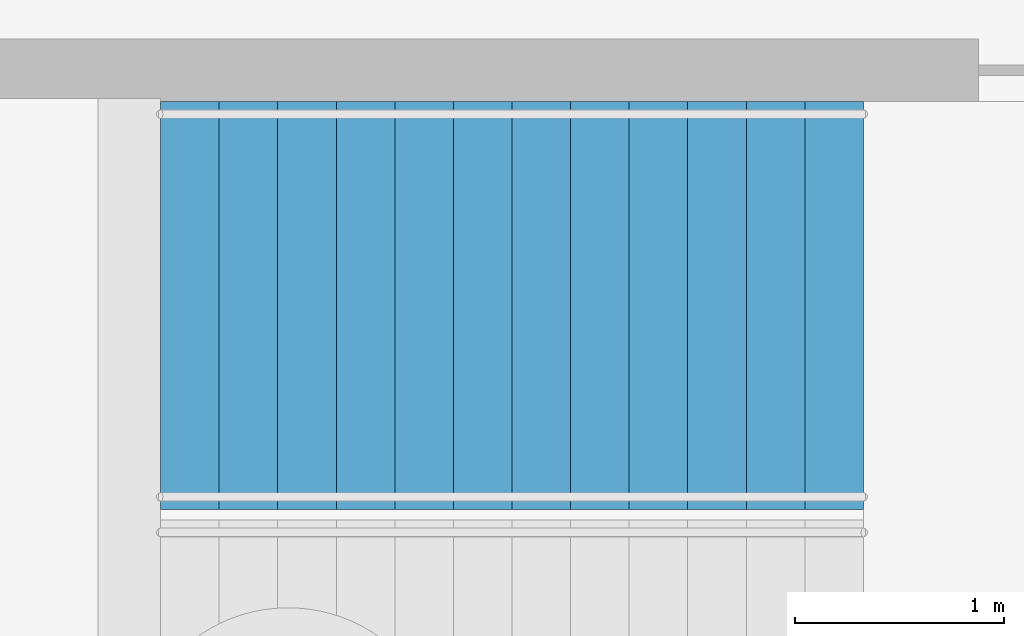
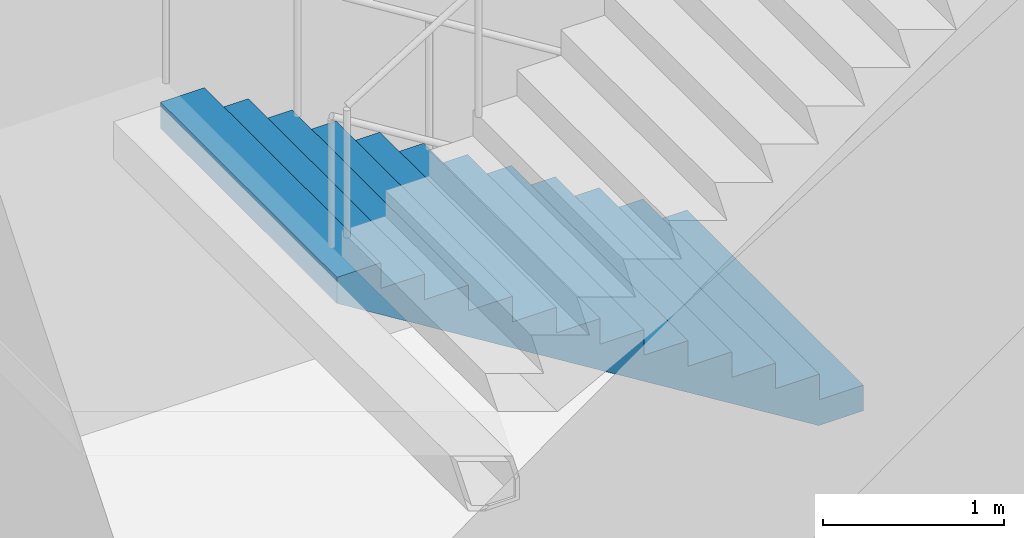
# One storey, part 12 of 28: 1 stair flight, 1 element without a shape of its own.
"""IFC4 building model written with IfcOpenShell, lengths in metres."""

from ifc_helpers import new_model, si_unit, direction, frame, origin, place, context, subcontext, project, spatial, triangles, material, type_object, element, aggregate, save


model = new_model("IFC4")

# Units and contexts
model_context = context("Model", 3, precision=1e-05, world=origin(), true_north=direction((0.0, 1.0)))
body_context = subcontext(model_context, "Body", "Model", "MODEL_VIEW")
ifc_project = project(units=[si_unit("LENGTHUNIT", "METRE"), si_unit("AREAUNIT", "SQUARE_METRE"), si_unit("VOLUMEUNIT", "CUBIC_METRE"), si_unit("PLANEANGLEUNIT", "RADIAN"), si_unit("MASSUNIT", "GRAM", prefix="KILO")], contexts=[model_context])

# Site, building, storey
site_placement = place(None, origin())
site = spatial("IfcSite", under=ifc_project, at=site_placement, CompositionType="ELEMENT")
building_placement = place(site_placement, origin())
building = spatial("IfcBuilding", under=site, at=building_placement, Name="Orbita Commons", CompositionType="ELEMENT")
storey_placement = place(building_placement, frame((0.0, 0.0, -9.0)))
storey = spatial("IfcBuildingStorey", under=building, at=storey_placement, Name="L-02", CompositionType="ELEMENT", Elevation=-9.0)

# Stair, stair flight
ifc_material_1 = material(Name="Precast concrete C40/50", Category="concrete")
stair_type = type_object("IfcStairType", Name="Exit stair S2 2 flights 13 risers 173", PredefinedType="HALF_TURN_STAIR", material=ifc_material_1)
stair_placement = place(storey_placement, origin())
stair = element("IfcStair", 1, at=stair_placement, inside=storey, type_object=stair_type, Name="Exit stair S2 L-02", PredefinedType="HALF_TURN_STAIR")
ifc_material_2 = material(Name="Precast concrete C40/50", Category="concrete")
stair_flight_type = type_object("IfcStairFlightType", Name="Stair flight 13 risers 173 x 280", PredefinedType="STRAIGHT", material=ifc_material_2)
stair_flight_placement = place(storey_placement, frame((63.550048828125, 29.27490234375, 0.0), z_axis=(0.0, 0.0, 1.0), x_axis=(-1.0, 0.0, 0.0)))
stair_flight = element("IfcStairFlight", 2, at=stair_flight_placement, type_object=stair_flight_type, Name="S2 flight 1", NumberOfRisers=13, NumberOfTreads=12, PredefinedType="STRAIGHT", RiserHeight=0.173076923, TreadLength=0.28, context=body_context, shape_type="Tessellation", body=[
    triangles([(0.0, 0.974976, 0.0), (0.0, 0.974976, 0.021635), (0.0, 0.81248, 0.021635), (0.0, 0.81248, 0.0), (0.0, 0.649984, 0.021635), (0.0, 0.649984, 0.0), (0.0, 0.487488, 0.021635), (0.0, 0.487488, 0.0), (0.0, 0.324992, 0.021635), (0.0, 0.324992, 0.0), (0.0, 0.162496, 0.021635), (0.0, 0.162496, 0.0), (0.0, 0.0, 0.021635), (0.0, 0.0, 0.0), (0.0, -0.162496, 0.021635), (0.0, -0.162496, 0.0), (0.0, -0.324992, 0.021635), (0.0, -0.324992, 0.0), (0.0, -0.487488, 0.021635), (0.0, -0.487488, 0.0), (0.0, -0.649984, 0.021635), (0.0, -0.649984, 0.0), (0.0, -0.81248, 0.021635), (0.0, -0.81248, 0.0), (0.0, -0.974976, 0.021635), (0.0, -0.974976, 0.0), (0.0, 0.974976, 0.043269), (0.0, 0.81248, 0.043269), (0.0, 0.649984, 0.043269), (0.0, 0.487488, 0.043269), (0.0, 0.324992, 0.043269), (0.0, 0.162496, 0.043269), (0.0, 0.0, 0.043269), (0.0, -0.162496, 0.043269), (0.0, -0.324992, 0.043269), (0.0, -0.487488, 0.043269), (0.0, -0.649984, 0.043269), (0.0, -0.81248, 0.043269), (0.0, -0.974976, 0.043269), (0.0, 0.974976, 0.064904), (0.0, 0.81248, 0.064904), (0.0, 0.649984, 0.064904), (0.0, 0.487488, 0.064904), (0.0, 0.324992, 0.064904), (0.0, 0.162496, 0.064904), (0.0, 0.0, 0.064904), (0.0, -0.162496, 0.064904), (0.0, -0.324992, 0.064904), (0.0, -0.487488, 0.064904), (0.0, -0.649984, 0.064904), (0.0, -0.81248, 0.064904), (0.0, -0.974976, 0.064904), (0.0, 0.974976, 0.086538), (0.0, 0.81248, 0.086538), (0.0, 0.649984, 0.086538), (0.0, 0.487488, 0.086538), (0.0, 0.324992, 0.086538), (0.0, 0.162496, 0.086538), (0.0, 0.0, 0.086538), (0.0, -0.162496, 0.086538), (0.0, -0.324992, 0.086538), (0.0, -0.487488, 0.086538), (0.0, -0.649984, 0.086538), (0.0, -0.81248, 0.086538), (0.0, -0.974976, 0.086538), (0.0, 0.974976, 0.108173), (0.0, 0.81248, 0.108173), (0.0, 0.649984, 0.108173), (0.0, 0.487488, 0.108173), (0.0, 0.324992, 0.108173), (0.0, 0.162496, 0.108173), (0.0, 0.0, 0.108173), (0.0, -0.162496, 0.108173), (0.0, -0.324992, 0.108173), (0.0, -0.487488, 0.108173), (0.0, -0.649984, 0.108173), (0.0, -0.81248, 0.108173), (0.0, -0.974976, 0.108173), (0.0, 0.974976, 0.129808), (0.0, 0.81248, 0.129808), (0.0, 0.649984, 0.129808), (0.0, 0.487488, 0.129808), (0.0, 0.324992, 0.129808), (0.0, 0.162496, 0.129808), (0.0, 0.0, 0.129808), (0.0, -0.162496, 0.129808), (0.0, -0.324992, 0.129808), (0.0, -0.487488, 0.129808), (0.0, -0.649984, 0.129808), (0.0, -0.81248, 0.129808), (0.0, -0.974976, 0.129808), (0.0, 0.974976, 0.151442), (0.0, 0.81248, 0.151442), (0.0, 0.649984, 0.151442), (0.0, 0.487488, 0.151442), (0.0, 0.324992, 0.151442), (0.0, 0.162496, 0.151442), (0.0, 0.0, 0.151442), (0.0, -0.162496, 0.151442), (0.0, -0.324992, 0.151442), (0.0, -0.487488, 0.151442), (0.0, -0.649984, 0.151442), (0.0, -0.81248, 0.151442), (0.0, -0.974976, 0.151442), (0.0, 0.974976, 0.173077), (0.0, 0.81248, 0.173077), (0.0, 0.649984, 0.173077), (0.0, 0.487488, 0.173077), (0.0, 0.324992, 0.173077), (0.0, 0.162496, 0.173077), (0.0, 0.0, 0.173077), (0.0, -0.162496, 0.173077), (0.0, -0.324992, 0.173077), (0.0, -0.487488, 0.173077), (0.0, -0.649984, 0.173077), (0.0, -0.81248, 0.173077), (0.0, -0.974976, 0.173077), (0.28, 0.974976, 0.173077), (0.28, 0.81248, 0.173077), (0.28, 0.649984, 0.173077), (0.28, 0.487488, 0.173077), (0.28, 0.324992, 0.173077), (0.28, 0.162496, 0.173077), (0.28, 0.0, 0.173077), (0.28, -0.162496, 0.173077), (0.28, -0.324992, 0.173077), (0.28, -0.487488, 0.173077), (0.28, -0.649984, 0.173077), (0.28, -0.81248, 0.173077), (0.28, -0.974976, 0.173077), (0.28, 0.974976, 0.346154), (0.28, 0.81248, 0.346154), (0.28, 0.649984, 0.346154), (0.28, 0.487488, 0.346154), (0.28, 0.324992, 0.346154), (0.28, 0.162496, 0.346154), (0.28, 0.0, 0.346154), (0.28, -0.162496, 0.346154), (0.28, -0.324992, 0.346154), (0.28, -0.487488, 0.346154), (0.28, -0.649984, 0.346154), (0.28, -0.81248, 0.346154), (0.28, -0.974976, 0.346154), (0.56, 0.974976, 0.346154), (0.56, 0.81248, 0.346154), (0.56, 0.649984, 0.346154), (0.56, 0.487488, 0.346154), (0.56, 0.324992, 0.346154), (0.56, 0.162496, 0.346154), (0.56, 0.0, 0.346154), (0.56, -0.162496, 0.346154), (0.56, -0.324992, 0.346154), (0.56, -0.487488, 0.346154), (0.56, -0.649984, 0.346154), (0.56, -0.81248, 0.346154), (0.56, -0.974976, 0.346154), (0.56, 0.974976, 0.519231), (0.56, 0.81248, 0.519231), (0.56, 0.649984, 0.519231), (0.56, 0.487488, 0.519231), (0.56, 0.324992, 0.519231), (0.56, 0.162496, 0.519231), (0.56, 0.0, 0.519231), (0.56, -0.162496, 0.519231), (0.56, -0.324992, 0.519231), (0.56, -0.487488, 0.519231), (0.56, -0.649984, 0.519231), (0.56, -0.81248, 0.519231), (0.56, -0.974976, 0.519231), (0.84, 0.974976, 0.519231), (0.84, 0.81248, 0.519231), (0.84, 0.649984, 0.519231), (0.84, 0.487488, 0.519231), (0.84, 0.324992, 0.519231), (0.84, 0.162496, 0.519231), (0.84, 0.0, 0.519231), (0.84, -0.162496, 0.519231), (0.84, -0.324992, 0.519231), (0.84, -0.487488, 0.519231), (0.84, -0.649984, 0.519231), (0.84, -0.81248, 0.519231), (0.84, -0.974976, 0.519231), (0.84, 0.974976, 0.692308), (0.84, 0.81248, 0.692308), (0.84, 0.649984, 0.692308), (0.84, 0.487488, 0.692308), (0.84, 0.324992, 0.692308), (0.84, 0.162496, 0.692308), (0.84, 0.0, 0.692308), (0.84, -0.162496, 0.692308), (0.84, -0.324992, 0.692308), (0.84, -0.487488, 0.692308), (0.84, -0.649984, 0.692308), (0.84, -0.81248, 0.692308), (0.84, -0.974976, 0.692308), (1.12, 0.974976, 0.692308), (1.12, 0.81248, 0.692308), (1.12, 0.649984, 0.692308), (1.12, 0.487488, 0.692308), (1.12, 0.324992, 0.692308), (1.12, 0.162496, 0.692308), (1.12, 0.0, 0.692308), (1.12, -0.162496, 0.692308), (1.12, -0.324992, 0.692308), (1.12, -0.487488, 0.692308), (1.12, -0.649984, 0.692308), (1.12, -0.81248, 0.692308), (1.12, -0.974976, 0.692308), (1.12, 0.974976, 0.865385), (1.12, 0.81248, 0.865385), (1.12, 0.649984, 0.865385), (1.12, 0.487488, 0.865385), (1.12, 0.324992, 0.865385), (1.12, 0.162496, 0.865385), (1.12, 0.0, 0.865385), (1.12, -0.162496, 0.865385), (1.12, -0.324992, 0.865385), (1.12, -0.487488, 0.865385), (1.12, -0.649984, 0.865385), (1.12, -0.81248, 0.865385), (1.12, -0.974976, 0.865385), (1.4, 0.974976, 0.865385), (1.4, 0.81248, 0.865385), (1.4, 0.649984, 0.865385), (1.4, 0.487488, 0.865385), (1.4, 0.324992, 0.865385), (1.4, 0.162496, 0.865385), (1.4, 0.0, 0.865385), (1.4, -0.162496, 0.865385), (1.4, -0.324992, 0.865385), (1.4, -0.487488, 0.865385), (1.4, -0.649984, 0.865385), (1.4, -0.81248, 0.865385), (1.4, -0.974976, 0.865385), (1.4, 0.974976, 1.038462), (1.4, 0.81248, 1.038462), (1.4, 0.649984, 1.038462), (1.4, 0.487488, 1.038462), (1.4, 0.324992, 1.038462), (1.4, 0.162496, 1.038462), (1.4, 0.0, 1.038462), (1.4, -0.162496, 1.038462), (1.4, -0.324992, 1.038462), (1.4, -0.487488, 1.038462), (1.4, -0.649984, 1.038462), (1.4, -0.81248, 1.038462), (1.4, -0.974976, 1.038462), (1.68, 0.974976, 1.038462), (1.68, 0.81248, 1.038462), (1.68, 0.649984, 1.038462), (1.68, 0.487488, 1.038462), (1.68, 0.324992, 1.038462), (1.68, 0.162496, 1.038462), (1.68, 0.0, 1.038462), (1.68, -0.162496, 1.038462), (1.68, -0.324992, 1.038462), (1.68, -0.487488, 1.038462), (1.68, -0.649984, 1.038462), (1.68, -0.81248, 1.038462), (1.68, -0.974976, 1.038462), (1.68, 0.974976, 1.211538), (1.68, 0.81248, 1.211538), (1.68, 0.649984, 1.211538), (1.68, 0.487488, 1.211538), (1.68, 0.324992, 1.211538), (1.68, 0.162496, 1.211538), (1.68, 0.0, 1.211538), (1.68, -0.162496, 1.211538), (1.68, -0.324992, 1.211538), (1.68, -0.487488, 1.211538), (1.68, -0.649984, 1.211538), (1.68, -0.81248, 1.211538), (1.68, -0.974976, 1.211538), (1.96, 0.974976, 1.211538), (1.96, 0.81248, 1.211538), (1.96, 0.649984, 1.211538), (1.96, 0.487488, 1.211538), (1.96, 0.324992, 1.211538), (1.96, 0.162496, 1.211538), (1.96, 0.0, 1.211538), (1.96, -0.162496, 1.211538), (1.96, -0.324992, 1.211538), (1.96, -0.487488, 1.211538), (1.96, -0.649984, 1.211538), (1.96, -0.81248, 1.211538), (1.96, -0.974976, 1.211538), (1.96, 0.974976, 1.384615), (1.96, 0.81248, 1.384615), (1.96, 0.649984, 1.384615), (1.96, 0.487488, 1.384615), (1.96, 0.324992, 1.384615), (1.96, 0.162496, 1.384615), (1.96, 0.0, 1.384615), (1.96, -0.162496, 1.384615), (1.96, -0.324992, 1.384615), (1.96, -0.487488, 1.384615), (1.96, -0.649984, 1.384615), (1.96, -0.81248, 1.384615), (1.96, -0.974976, 1.384615), (2.24, 0.974976, 1.384615), (2.24, 0.81248, 1.384615), (2.24, 0.649984, 1.384615), (2.24, 0.487488, 1.384615), (2.24, 0.324992, 1.384615), (2.24, 0.162496, 1.384615), (2.24, 0.0, 1.384615), (2.24, -0.162496, 1.384615), (2.24, -0.324992, 1.384615), (2.24, -0.487488, 1.384615), (2.24, -0.649984, 1.384615), (2.24, -0.81248, 1.384615), (2.24, -0.974976, 1.384615), (2.24, 0.974976, 1.557692), (2.24, 0.81248, 1.557692), (2.24, 0.649984, 1.557692), (2.24, 0.487488, 1.557692), (2.24, 0.324992, 1.557692), (2.24, 0.162496, 1.557692), (2.24, 0.0, 1.557692), (2.24, -0.162496, 1.557692), (2.24, -0.324992, 1.557692), (2.24, -0.487488, 1.557692), (2.24, -0.649984, 1.557692), (2.24, -0.81248, 1.557692), (2.24, -0.974976, 1.557692), (2.52, 0.974976, 1.557692), (2.52, 0.81248, 1.557692), (2.52, 0.649984, 1.557692), (2.52, 0.487488, 1.557692), (2.52, 0.324992, 1.557692), (2.52, 0.162496, 1.557692), (2.52, 0.0, 1.557692), (2.52, -0.162496, 1.557692), (2.52, -0.324992, 1.557692), (2.52, -0.487488, 1.557692), (2.52, -0.649984, 1.557692), (2.52, -0.81248, 1.557692), (2.52, -0.974976, 1.557692), (2.52, 0.974976, 1.730769), (2.52, 0.81248, 1.730769), (2.52, 0.649984, 1.730769), (2.52, 0.487488, 1.730769), (2.52, 0.324992, 1.730769), (2.52, 0.162496, 1.730769), (2.52, 0.0, 1.730769), (2.52, -0.162496, 1.730769), (2.52, -0.324992, 1.730769), (2.52, -0.487488, 1.730769), (2.52, -0.649984, 1.730769), (2.52, -0.81248, 1.730769), (2.52, -0.974976, 1.730769), (2.8, 0.974976, 1.730769), (2.8, 0.81248, 1.730769), (2.8, 0.649984, 1.730769), (2.8, 0.487488, 1.730769), (2.8, 0.324992, 1.730769), (2.8, 0.162496, 1.730769), (2.8, 0.0, 1.730769), (2.8, -0.162496, 1.730769), (2.8, -0.324992, 1.730769), (2.8, -0.487488, 1.730769), (2.8, -0.649984, 1.730769), (2.8, -0.81248, 1.730769), (2.8, -0.974976, 1.730769), (2.8, 0.974976, 1.903846), (2.8, 0.81248, 1.903846), (2.8, 0.649984, 1.903846), (2.8, 0.487488, 1.903846), (2.8, 0.324992, 1.903846), (2.8, 0.162496, 1.903846), (2.8, 0.0, 1.903846), (2.8, -0.162496, 1.903846), (2.8, -0.324992, 1.903846), (2.8, -0.487488, 1.903846), (2.8, -0.649984, 1.903846), (2.8, -0.81248, 1.903846), (2.8, -0.974976, 1.903846), (3.08, 0.974976, 1.903846), (3.08, 0.81248, 1.903846), (3.08, 0.649984, 1.903846), (3.08, 0.487488, 1.903846), (3.08, 0.324992, 1.903846), (3.08, 0.162496, 1.903846), (3.08, 0.0, 1.903846), (3.08, -0.162496, 1.903846), (3.08, -0.324992, 1.903846), (3.08, -0.487488, 1.903846), (3.08, -0.649984, 1.903846), (3.08, -0.81248, 1.903846), (3.08, -0.974976, 1.903846), (3.08, 0.974976, 2.076923), (3.08, 0.81248, 2.076923), (3.08, 0.649984, 2.076923), (3.08, 0.487488, 2.076923), (3.08, 0.324992, 2.076923), (3.08, 0.162496, 2.076923), (3.08, 0.0, 2.076923), (3.08, -0.162496, 2.076923), (3.08, -0.324992, 2.076923), (3.08, -0.487488, 2.076923), (3.08, -0.649984, 2.076923), (3.08, -0.81248, 2.076923), (3.08, -0.974976, 2.076923), (3.36, 0.974976, 2.076923), (3.36, 0.81248, 2.076923), (3.36, 0.649984, 2.076923), (3.36, 0.487488, 2.076923), (3.36, 0.324992, 2.076923), (3.36, 0.162496, 2.076923), (3.36, 0.0, 2.076923), (3.36, -0.162496, 2.076923), (3.36, -0.324992, 2.076923), (3.36, -0.487488, 2.076923), (3.36, -0.649984, 2.076923), (3.36, -0.81248, 2.076923), (3.36, -0.974976, 2.076923), (3.36, 0.974976, 2.054895), (3.36, 0.81248, 2.054895), (3.36, 0.649984, 2.054895), (3.36, 0.487488, 2.054895), (3.36, 0.324992, 2.054895), (3.36, 0.162496, 2.054895), (3.36, 0.0, 2.054895), (3.36, -0.162496, 2.054895), (3.36, -0.324992, 2.054895), (3.36, -0.487488, 2.054895), (3.36, -0.649984, 2.054895), (3.36, -0.81248, 2.054895), (3.36, -0.974976, 2.054895), (3.36, 0.974976, 2.032866), (3.36, 0.81248, 2.032866), (3.36, 0.649984, 2.032866), (3.36, 0.487488, 2.032866), (3.36, 0.324992, 2.032866), (3.36, 0.162496, 2.032866), (3.36, 0.0, 2.032866), (3.36, -0.162496, 2.032866), (3.36, -0.324992, 2.032866), (3.36, -0.487488, 2.032866), (3.36, -0.649984, 2.032866), (3.36, -0.81248, 2.032866), (3.36, -0.974976, 2.032866), (3.36, 0.974976, 2.010837), (3.36, 0.81248, 2.010837), (3.36, 0.649984, 2.010837), (3.36, 0.487488, 2.010837), (3.36, 0.324992, 2.010837), (3.36, 0.162496, 2.010837), (3.36, 0.0, 2.010837), (3.36, -0.162496, 2.010837), (3.36, -0.324992, 2.010837), (3.36, -0.487488, 2.010837), (3.36, -0.649984, 2.010837), (3.36, -0.81248, 2.010837), (3.36, -0.974976, 2.010837), (3.36, 0.974976, 1.988809), (3.36, 0.81248, 1.988809), (3.36, 0.649984, 1.988809), (3.36, 0.487488, 1.988809), (3.36, 0.324992, 1.988809), (3.36, 0.162496, 1.988809), (3.36, 0.0, 1.988809), (3.36, -0.162496, 1.988809), (3.36, -0.324992, 1.988809), (3.36, -0.487488, 1.988809), (3.36, -0.649984, 1.988809), (3.36, -0.81248, 1.988809), (3.36, -0.974976, 1.988809), (3.36, 0.974976, 1.96678), (3.36, 0.81248, 1.96678), (3.36, 0.649984, 1.96678), (3.36, 0.487488, 1.96678), (3.36, 0.324992, 1.96678), (3.36, 0.162496, 1.96678), (3.36, 0.0, 1.96678), (3.36, -0.162496, 1.96678), (3.36, -0.324992, 1.96678), (3.36, -0.487488, 1.96678), (3.36, -0.649984, 1.96678), (3.36, -0.81248, 1.96678), (3.36, -0.974976, 1.96678), (3.36, 0.974976, 1.944752), (3.36, 0.81248, 1.944752), (3.36, 0.649984, 1.944752), (3.36, 0.487488, 1.944752), (3.36, 0.324992, 1.944752), (3.36, 0.162496, 1.944752), (3.36, 0.0, 1.944752), (3.36, -0.162496, 1.944752), (3.36, -0.324992, 1.944752), (3.36, -0.487488, 1.944752), (3.36, -0.649984, 1.944752), (3.36, -0.81248, 1.944752), (3.36, -0.974976, 1.944752), (3.36, 0.974976, 1.922723), (3.36, 0.81248, 1.922723), (3.36, 0.649984, 1.922723), (3.36, 0.487488, 1.922723), (3.36, 0.324992, 1.922723), (3.36, 0.162496, 1.922723), (3.36, 0.0, 1.922723), (3.36, -0.162496, 1.922723), (3.36, -0.324992, 1.922723), (3.36, -0.487488, 1.922723), (3.36, -0.649984, 1.922723), (3.36, -0.81248, 1.922723), (3.36, -0.974976, 1.922723), (3.36, 0.974976, 1.900695), (3.36, 0.81248, 1.900695), (3.36, 0.649984, 1.900695), (3.36, 0.487488, 1.900695), (3.36, 0.324992, 1.900695), (3.36, 0.162496, 1.900695), (3.36, 0.0, 1.900695), (3.36, -0.162496, 1.900695), (3.36, -0.324992, 1.900695), (3.36, -0.487488, 1.900695), (3.36, -0.649984, 1.900695), (3.36, -0.81248, 1.900695), (3.36, -0.974976, 1.900695), (0.285099, 0.974976, 0.0), (0.285099, 0.81248, 0.0), (0.285099, 0.649984, 0.0), (0.285099, 0.487488, 0.0), (0.285099, 0.324992, 0.0), (0.285099, 0.162496, 0.0), (0.285099, 0.0, 0.0), (0.285099, -0.162496, 0.0), (0.285099, -0.324992, 0.0), (0.285099, -0.487488, 0.0), (0.285099, -0.649984, 0.0), (0.285099, -0.81248, 0.0), (0.285099, -0.974976, 0.0)], [[3, 2, 1], [4, 3, 1], [5, 3, 4], [6, 5, 4], [7, 5, 6], [8, 7, 6], [9, 7, 8], [10, 9, 8], [11, 9, 10], [12, 11, 10], [13, 11, 12], [14, 13, 12], [15, 13, 14], [16, 15, 14], [17, 15, 16], [18, 17, 16], [19, 17, 18], [20, 19, 18], [21, 19, 20], [22, 21, 20], [23, 21, 22], [24, 23, 22], [25, 23, 24], [26, 25, 24], [28, 27, 2], [3, 28, 2], [29, 28, 3], [5, 29, 3], [30, 29, 5], [7, 30, 5], [31, 30, 7], [9, 31, 7], [32, 31, 9], [11, 32, 9], [33, 32, 11], [13, 33, 11], [34, 33, 13], [15, 34, 13], [35, 34, 15], [17, 35, 15], [36, 35, 17], [19, 36, 17], [37, 36, 19], [21, 37, 19], [38, 37, 21], [23, 38, 21], [39, 38, 23], [25, 39, 23], [41, 40, 27], [28, 41, 27], [42, 41, 28], [29, 42, 28], [43, 42, 29], [30, 43, 29], [44, 43, 30], [31, 44, 30], [45, 44, 31], [32, 45, 31], [46, 45, 32], [33, 46, 32], [47, 46, 33], [34, 47, 33], [48, 47, 34], [35, 48, 34], [49, 48, 35], [36, 49, 35], [50, 49, 36], [37, 50, 36], [51, 50, 37], [38, 51, 37], [52, 51, 38], [39, 52, 38], [54, 53, 40], [41, 54, 40], [55, 54, 41], [42, 55, 41], [56, 55, 42], [43, 56, 42], [57, 56, 43], [44, 57, 43], [58, 57, 44], [45, 58, 44], [59, 58, 45], [46, 59, 45], [60, 59, 46], [47, 60, 46], [61, 60, 47], [48, 61, 47], [62, 61, 48], [49, 62, 48], [63, 62, 49], [50, 63, 49], [64, 63, 50], [51, 64, 50], [65, 64, 51], [52, 65, 51], [67, 66, 53], [54, 67, 53], [68, 67, 54], [55, 68, 54], [69, 68, 55], [56, 69, 55], [70, 69, 56], [57, 70, 56], [71, 70, 57], [58, 71, 57], [72, 71, 58], [59, 72, 58], [73, 72, 59], [60, 73, 59], [74, 73, 60], [61, 74, 60], [75, 74, 61], [62, 75, 61], [76, 75, 62], [63, 76, 62], [77, 76, 63], [64, 77, 63], [78, 77, 64], [65, 78, 64], [80, 79, 66], [67, 80, 66], [81, 80, 67], [68, 81, 67], [82, 81, 68], [69, 82, 68], [83, 82, 69], [70, 83, 69], [84, 83, 70], [71, 84, 70], [85, 84, 71], [72, 85, 71], [86, 85, 72], [73, 86, 72], [87, 86, 73], [74, 87, 73], [88, 87, 74], [75, 88, 74], [89, 88, 75], [76, 89, 75], [90, 89, 76], [77, 90, 76], [91, 90, 77], [78, 91, 77], [93, 92, 79], [80, 93, 79], [94, 93, 80], [81, 94, 80], [95, 94, 81], [82, 95, 81], [96, 95, 82], [83, 96, 82], [97, 96, 83], [84, 97, 83], [98, 97, 84], [85, 98, 84], [99, 98, 85], [86, 99, 85], [100, 99, 86], [87, 100, 86], [101, 100, 87], [88, 101, 87], [102, 101, 88], [89, 102, 88], [103, 102, 89], [90, 103, 89], [104, 103, 90], [91, 104, 90], [106, 105, 92], [93, 106, 92], [107, 106, 93], [94, 107, 93], [108, 107, 94], [95, 108, 94], [109, 108, 95], [96, 109, 95], [110, 109, 96], [97, 110, 96], [111, 110, 97], [98, 111, 97], [112, 111, 98], [99, 112, 98], [113, 112, 99], [100, 113, 99], [114, 113, 100], [101, 114, 100], [115, 114, 101], [102, 115, 101], [116, 115, 102], [103, 116, 102], [117, 116, 103], [104, 117, 103], [119, 118, 105], [106, 119, 105], [120, 119, 106], [107, 120, 106], [121, 120, 107], [108, 121, 107], [122, 121, 108], [109, 122, 108], [123, 122, 109], [110, 123, 109], [124, 123, 110], [111, 124, 110], [125, 124, 111], [112, 125, 111], [126, 125, 112], [113, 126, 112], [127, 126, 113], [114, 127, 113], [128, 127, 114], [115, 128, 114], [129, 128, 115], [116, 129, 115], [130, 129, 116], [117, 130, 116], [132, 131, 118], [119, 132, 118], [133, 132, 119], [120, 133, 119], [134, 133, 120], [121, 134, 120], [135, 134, 121], [122, 135, 121], [136, 135, 122], [123, 136, 122], [137, 136, 123], [124, 137, 123], [138, 137, 124], [125, 138, 124], [139, 138, 125], [126, 139, 125], [140, 139, 126], [127, 140, 126], [141, 140, 127], [128, 141, 127], [142, 141, 128], [129, 142, 128], [143, 142, 129], [130, 143, 129], [145, 144, 131], [132, 145, 131], [146, 145, 132], [133, 146, 132], [147, 146, 133], [134, 147, 133], [148, 147, 134], [135, 148, 134], [149, 148, 135], [136, 149, 135], [150, 149, 136], [137, 150, 136], [151, 150, 137], [138, 151, 137], [152, 151, 138], [139, 152, 138], [153, 152, 139], [140, 153, 139], [154, 153, 140], [141, 154, 140], [155, 154, 141], [142, 155, 141], [156, 155, 142], [143, 156, 142], [158, 157, 144], [145, 158, 144], [159, 158, 145], [146, 159, 145], [160, 159, 146], [147, 160, 146], [161, 160, 147], [148, 161, 147], [162, 161, 148], [149, 162, 148], [163, 162, 149], [150, 163, 149], [164, 163, 150], [151, 164, 150], [165, 164, 151], [152, 165, 151], [166, 165, 152], [153, 166, 152], [167, 166, 153], [154, 167, 153], [168, 167, 154], [155, 168, 154], [169, 168, 155], [156, 169, 155], [171, 170, 157], [158, 171, 157], [172, 171, 158], [159, 172, 158], [173, 172, 159], [160, 173, 159], [174, 173, 160], [161, 174, 160], [175, 174, 161], [162, 175, 161], [176, 175, 162], [163, 176, 162], [177, 176, 163], [164, 177, 163], [178, 177, 164], [165, 178, 164], [179, 178, 165], [166, 179, 165], [180, 179, 166], [167, 180, 166], [181, 180, 167], [168, 181, 167], [182, 181, 168], [169, 182, 168], [184, 183, 170], [171, 184, 170], [185, 184, 171], [172, 185, 171], [186, 185, 172], [173, 186, 172], [187, 186, 173], [174, 187, 173], [188, 187, 174], [175, 188, 174], [189, 188, 175], [176, 189, 175], [190, 189, 176], [177, 190, 176], [191, 190, 177], [178, 191, 177], [192, 191, 178], [179, 192, 178], [193, 192, 179], [180, 193, 179], [194, 193, 180], [181, 194, 180], [195, 194, 181], [182, 195, 181], [197, 196, 183], [184, 197, 183], [198, 197, 184], [185, 198, 184], [199, 198, 185], [186, 199, 185], [200, 199, 186], [187, 200, 186], [201, 200, 187], [188, 201, 187], [202, 201, 188], [189, 202, 188], [203, 202, 189], [190, 203, 189], [204, 203, 190], [191, 204, 190], [205, 204, 191], [192, 205, 191], [206, 205, 192], [193, 206, 192], [207, 206, 193], [194, 207, 193], [208, 207, 194], [195, 208, 194], [210, 209, 196], [197, 210, 196], [211, 210, 197], [198, 211, 197], [212, 211, 198], [199, 212, 198], [213, 212, 199], [200, 213, 199], [214, 213, 200], [201, 214, 200], [215, 214, 201], [202, 215, 201], [216, 215, 202], [203, 216, 202], [217, 216, 203], [204, 217, 203], [218, 217, 204], [205, 218, 204], [219, 218, 205], [206, 219, 205], [220, 219, 206], [207, 220, 206], [221, 220, 207], [208, 221, 207], [223, 222, 209], [210, 223, 209], [224, 223, 210], [211, 224, 210], [225, 224, 211], [212, 225, 211], [226, 225, 212], [213, 226, 212], [227, 226, 213], [214, 227, 213], [228, 227, 214], [215, 228, 214], [229, 228, 215], [216, 229, 215], [230, 229, 216], [217, 230, 216], [231, 230, 217], [218, 231, 217], [232, 231, 218], [219, 232, 218], [233, 232, 219], [220, 233, 219], [234, 233, 220], [221, 234, 220], [236, 235, 222], [223, 236, 222], [237, 236, 223], [224, 237, 223], [238, 237, 224], [225, 238, 224], [239, 238, 225], [226, 239, 225], [240, 239, 226], [227, 240, 226], [241, 240, 227], [228, 241, 227], [242, 241, 228], [229, 242, 228], [243, 242, 229], [230, 243, 229], [244, 243, 230], [231, 244, 230], [245, 244, 231], [232, 245, 231], [246, 245, 232], [233, 246, 232], [247, 246, 233], [234, 247, 233], [249, 248, 235], [236, 249, 235], [250, 249, 236], [237, 250, 236], [251, 250, 237], [238, 251, 237], [252, 251, 238], [239, 252, 238], [253, 252, 239], [240, 253, 239], [254, 253, 240], [241, 254, 240], [255, 254, 241], [242, 255, 241], [256, 255, 242], [243, 256, 242], [257, 256, 243], [244, 257, 243], [258, 257, 244], [245, 258, 244], [259, 258, 245], [246, 259, 245], [260, 259, 246], [247, 260, 246], [262, 261, 248], [249, 262, 248], [263, 262, 249], [250, 263, 249], [264, 263, 250], [251, 264, 250], [265, 264, 251], [252, 265, 251], [266, 265, 252], [253, 266, 252], [267, 266, 253], [254, 267, 253], [268, 267, 254], [255, 268, 254], [269, 268, 255], [256, 269, 255], [270, 269, 256], [257, 270, 256], [271, 270, 257], [258, 271, 257], [272, 271, 258], [259, 272, 258], [273, 272, 259], [260, 273, 259], [275, 274, 261], [262, 275, 261], [276, 275, 262], [263, 276, 262], [277, 276, 263], [264, 277, 263], [278, 277, 264], [265, 278, 264], [279, 278, 265], [266, 279, 265], [280, 279, 266], [267, 280, 266], [281, 280, 267], [268, 281, 267], [282, 281, 268], [269, 282, 268], [283, 282, 269], [270, 283, 269], [284, 283, 270], [271, 284, 270], [285, 284, 271], [272, 285, 271], [286, 285, 272], [273, 286, 272], [288, 287, 274], [275, 288, 274], [289, 288, 275], [276, 289, 275], [290, 289, 276], [277, 290, 276], [291, 290, 277], [278, 291, 277], [292, 291, 278], [279, 292, 278], [293, 292, 279], [280, 293, 279], [294, 293, 280], [281, 294, 280], [295, 294, 281], [282, 295, 281], [296, 295, 282], [283, 296, 282], [297, 296, 283], [284, 297, 283], [298, 297, 284], [285, 298, 284], [299, 298, 285], [286, 299, 285], [301, 300, 287], [288, 301, 287], [302, 301, 288], [289, 302, 288], [303, 302, 289], [290, 303, 289], [304, 303, 290], [291, 304, 290], [305, 304, 291], [292, 305, 291], [306, 305, 292], [293, 306, 292], [307, 306, 293], [294, 307, 293], [308, 307, 294], [295, 308, 294], [309, 308, 295], [296, 309, 295], [310, 309, 296], [297, 310, 296], [311, 310, 297], [298, 311, 297], [312, 311, 298], [299, 312, 298], [314, 313, 300], [301, 314, 300], [315, 314, 301], [302, 315, 301], [316, 315, 302], [303, 316, 302], [317, 316, 303], [304, 317, 303], [318, 317, 304], [305, 318, 304], [319, 318, 305], [306, 319, 305], [320, 319, 306], [307, 320, 306], [321, 320, 307], [308, 321, 307], [322, 321, 308], [309, 322, 308], [323, 322, 309], [310, 323, 309], [324, 323, 310], [311, 324, 310], [325, 324, 311], [312, 325, 311], [327, 326, 313], [314, 327, 313], [328, 327, 314], [315, 328, 314], [329, 328, 315], [316, 329, 315], [330, 329, 316], [317, 330, 316], [331, 330, 317], [318, 331, 317], [332, 331, 318], [319, 332, 318], [333, 332, 319], [320, 333, 319], [334, 333, 320], [321, 334, 320], [335, 334, 321], [322, 335, 321], [336, 335, 322], [323, 336, 322], [337, 336, 323], [324, 337, 323], [338, 337, 324], [325, 338, 324], [340, 339, 326], [327, 340, 326], [341, 340, 327], [328, 341, 327], [342, 341, 328], [329, 342, 328], [343, 342, 329], [330, 343, 329], [344, 343, 330], [331, 344, 330], [345, 344, 331], [332, 345, 331], [346, 345, 332], [333, 346, 332], [347, 346, 333], [334, 347, 333], [348, 347, 334], [335, 348, 334], [349, 348, 335], [336, 349, 335], [350, 349, 336], [337, 350, 336], [351, 350, 337], [338, 351, 337], [353, 352, 339], [340, 353, 339], [354, 353, 340], [341, 354, 340], [355, 354, 341], [342, 355, 341], [356, 355, 342], [343, 356, 342], [357, 356, 343], [344, 357, 343], [358, 357, 344], [345, 358, 344], [359, 358, 345], [346, 359, 345], [360, 359, 346], [347, 360, 346], [361, 360, 347], [348, 361, 347], [362, 361, 348], [349, 362, 348], [363, 362, 349], [350, 363, 349], [364, 363, 350], [351, 364, 350], [366, 365, 352], [353, 366, 352], [367, 366, 353], [354, 367, 353], [368, 367, 354], [355, 368, 354], [369, 368, 355], [356, 369, 355], [370, 369, 356], [357, 370, 356], [371, 370, 357], [358, 371, 357], [372, 371, 358], [359, 372, 358], [373, 372, 359], [360, 373, 359], [374, 373, 360], [361, 374, 360], [375, 374, 361], [362, 375, 361], [376, 375, 362], [363, 376, 362], [377, 376, 363], [364, 377, 363], [379, 378, 365], [366, 379, 365], [380, 379, 366], [367, 380, 366], [381, 380, 367], [368, 381, 367], [382, 381, 368], [369, 382, 368], [383, 382, 369], [370, 383, 369], [384, 383, 370], [371, 384, 370], [385, 384, 371], [372, 385, 371], [386, 385, 372], [373, 386, 372], [387, 386, 373], [374, 387, 373], [388, 387, 374], [375, 388, 374], [389, 388, 375], [376, 389, 375], [390, 389, 376], [377, 390, 376], [392, 391, 378], [379, 392, 378], [393, 392, 379], [380, 393, 379], [394, 393, 380], [381, 394, 380], [395, 394, 381], [382, 395, 381], [396, 395, 382], [383, 396, 382], [397, 396, 383], [384, 397, 383], [398, 397, 384], [385, 398, 384], [399, 398, 385], [386, 399, 385], [400, 399, 386], [387, 400, 386], [401, 400, 387], [388, 401, 387], [402, 401, 388], [389, 402, 388], [403, 402, 389], [390, 403, 389], [405, 404, 391], [392, 405, 391], [406, 405, 392], [393, 406, 392], [407, 406, 393], [394, 407, 393], [408, 407, 394], [395, 408, 394], [409, 408, 395], [396, 409, 395], [410, 409, 396], [397, 410, 396], [411, 410, 397], [398, 411, 397], [412, 411, 398], [399, 412, 398], [413, 412, 399], [400, 413, 399], [414, 413, 400], [401, 414, 400], [415, 414, 401], [402, 415, 401], [416, 415, 402], [403, 416, 402], [418, 417, 404], [405, 418, 404], [419, 418, 405], [406, 419, 405], [420, 419, 406], [407, 420, 406], [421, 420, 407], [408, 421, 407], [422, 421, 408], [409, 422, 408], [423, 422, 409], [410, 423, 409], [424, 423, 410], [411, 424, 410], [425, 424, 411], [412, 425, 411], [426, 425, 412], [413, 426, 412], [427, 426, 413], [414, 427, 413], [428, 427, 414], [415, 428, 414], [429, 428, 415], [416, 429, 415], [431, 430, 417], [418, 431, 417], [432, 431, 418], [419, 432, 418], [433, 432, 419], [420, 433, 419], [434, 433, 420], [421, 434, 420], [435, 434, 421], [422, 435, 421], [436, 435, 422], [423, 436, 422], [437, 436, 423], [424, 437, 423], [438, 437, 424], [425, 438, 424], [439, 438, 425], [426, 439, 425], [440, 439, 426], [427, 440, 426], [441, 440, 427], [428, 441, 427], [442, 441, 428], [429, 442, 428], [444, 443, 430], [431, 444, 430], [445, 444, 431], [432, 445, 431], [446, 445, 432], [433, 446, 432], [447, 446, 433], [434, 447, 433], [448, 447, 434], [435, 448, 434], [449, 448, 435], [436, 449, 435], [450, 449, 436], [437, 450, 436], [451, 450, 437], [438, 451, 437], [452, 451, 438], [439, 452, 438], [453, 452, 439], [440, 453, 439], [454, 453, 440], [441, 454, 440], [455, 454, 441], [442, 455, 441], [457, 456, 443], [444, 457, 443], [458, 457, 444], [445, 458, 444], [459, 458, 445], [446, 459, 445], [460, 459, 446], [447, 460, 446], [461, 460, 447], [448, 461, 447], [462, 461, 448], [449, 462, 448], [463, 462, 449], [450, 463, 449], [464, 463, 450], [451, 464, 450], [465, 464, 451], [452, 465, 451], [466, 465, 452], [453, 466, 452], [467, 466, 453], [454, 467, 453], [468, 467, 454], [455, 468, 454], [470, 469, 456], [457, 470, 456], [471, 470, 457], [458, 471, 457], [472, 471, 458], [459, 472, 458], [473, 472, 459], [460, 473, 459], [474, 473, 460], [461, 474, 460], [475, 474, 461], [462, 475, 461], [476, 475, 462], [463, 476, 462], [477, 476, 463], [464, 477, 463], [478, 477, 464], [465, 478, 464], [479, 478, 465], [466, 479, 465], [480, 479, 466], [467, 480, 466], [481, 480, 467], [468, 481, 467], [483, 482, 469], [470, 483, 469], [484, 483, 470], [471, 484, 470], [485, 484, 471], [472, 485, 471], [486, 485, 472], [473, 486, 472], [487, 486, 473], [474, 487, 473], [488, 487, 474], [475, 488, 474], [489, 488, 475], [476, 489, 475], [490, 489, 476], [477, 490, 476], [491, 490, 477], [478, 491, 477], [492, 491, 478], [479, 492, 478], [493, 492, 479], [480, 493, 479], [494, 493, 480], [481, 494, 480], [496, 495, 482], [483, 496, 482], [497, 496, 483], [484, 497, 483], [498, 497, 484], [485, 498, 484], [499, 498, 485], [486, 499, 485], [500, 499, 486], [487, 500, 486], [501, 500, 487], [488, 501, 487], [502, 501, 488], [489, 502, 488], [503, 502, 489], [490, 503, 489], [504, 503, 490], [491, 504, 490], [505, 504, 491], [492, 505, 491], [506, 505, 492], [493, 506, 492], [507, 506, 493], [494, 507, 493], [509, 508, 495], [496, 509, 495], [510, 509, 496], [497, 510, 496], [511, 510, 497], [498, 511, 497], [512, 511, 498], [499, 512, 498], [513, 512, 499], [500, 513, 499], [514, 513, 500], [501, 514, 500], [515, 514, 501], [502, 515, 501], [516, 515, 502], [503, 516, 502], [517, 516, 503], [504, 517, 503], [518, 517, 504], [505, 518, 504], [519, 518, 505], [506, 519, 505], [520, 519, 506], [507, 520, 506], [522, 521, 508], [509, 522, 508], [523, 522, 509], [510, 523, 509], [524, 523, 510], [511, 524, 510], [525, 524, 511], [512, 525, 511], [526, 525, 512], [513, 526, 512], [527, 526, 513], [514, 527, 513], [528, 527, 514], [515, 528, 514], [529, 528, 515], [516, 529, 515], [530, 529, 516], [517, 530, 516], [531, 530, 517], [518, 531, 517], [532, 531, 518], [519, 532, 518], [533, 532, 519], [520, 533, 519], [4, 1, 521], [522, 4, 521], [6, 4, 522], [523, 6, 522], [8, 6, 523], [524, 8, 523], [10, 8, 524], [525, 10, 524], [12, 10, 525], [526, 12, 525], [14, 12, 526], [527, 14, 526], [16, 14, 527], [528, 16, 527], [18, 16, 528], [529, 18, 528], [20, 18, 529], [530, 20, 529], [22, 20, 530], [531, 22, 530], [24, 22, 531], [532, 24, 531], [26, 24, 532], [533, 26, 532], [508, 521, 1], [26, 533, 520], [495, 508, 1], [26, 520, 507], [482, 495, 1], [26, 507, 494], [469, 482, 1], [26, 494, 481], [456, 469, 1], [26, 481, 468], [443, 456, 1], [26, 468, 455], [430, 443, 1], [26, 455, 442], [417, 430, 1], [26, 442, 429], [391, 404, 417], [429, 416, 403], [378, 391, 417], [429, 403, 390], [352, 365, 378], [390, 377, 364], [352, 378, 417], [429, 390, 364], [326, 339, 352], [364, 351, 338], [326, 352, 417], [429, 364, 338], [300, 313, 326], [338, 325, 312], [300, 326, 417], [429, 338, 312], [274, 287, 300], [312, 299, 286], [274, 300, 417], [429, 312, 286], [248, 261, 274], [286, 273, 260], [248, 274, 417], [429, 286, 260], [222, 235, 248], [260, 247, 234], [222, 248, 417], [429, 260, 234], [196, 209, 222], [234, 221, 208], [196, 222, 417], [429, 234, 208], [170, 183, 196], [208, 195, 182], [170, 196, 417], [429, 208, 182], [144, 157, 170], [182, 169, 156], [144, 170, 417], [429, 182, 156], [118, 131, 144], [156, 143, 130], [118, 144, 417], [429, 156, 130], [118, 417, 1], [26, 429, 130], [92, 105, 118], [130, 117, 104], [79, 92, 118], [130, 104, 91], [66, 79, 118], [130, 91, 78], [53, 66, 118], [130, 78, 65], [40, 53, 118], [130, 65, 52], [27, 40, 118], [130, 52, 39], [2, 27, 118], [130, 39, 25], [1, 2, 118], [130, 25, 26]], closed=True),
])
aggregate(stair, [stair_flight])

save(model, "model.ifc")
